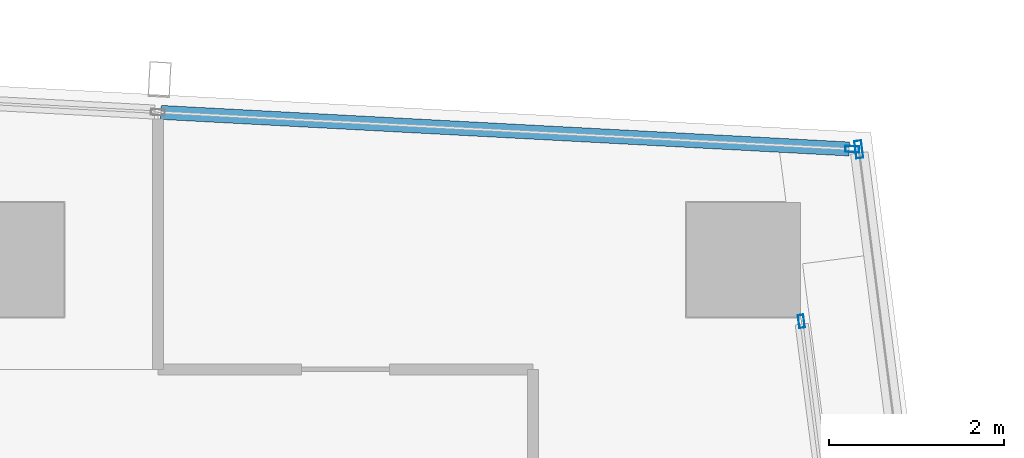
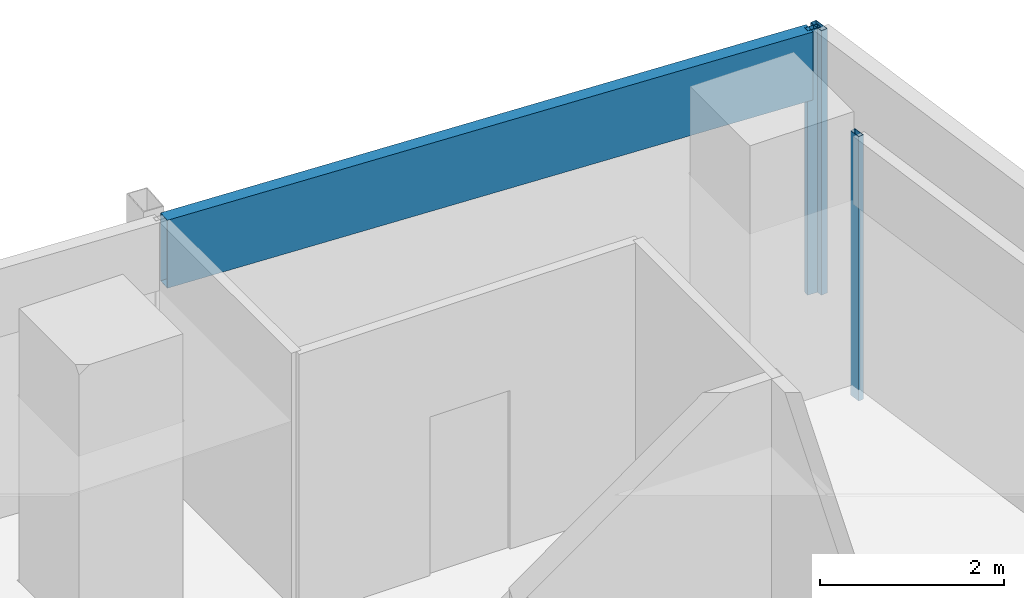
# One storey, part 20 of 30: 4 members, 3 elements without a shape of their own.
"""IFC4 building model written with IfcOpenShell, lengths in metres."""

from ifc_helpers import new_model, si_unit, direction, frame, origin, origin_2d, place, context, subcontext, project, spatial, hollow_rectangle, extrude, material, material_profile, profile_set, type_object, element, aggregate, save


model = new_model("IFC4")

# Units and contexts
model_context = context("Model", 3, precision=1e-05, world=origin(), true_north=direction((0.0, 1.0)))
body_context = subcontext(model_context, "Body", "Model", "MODEL_VIEW")
ifc_project = project(units=[si_unit("LENGTHUNIT", "METRE"), si_unit("AREAUNIT", "SQUARE_METRE"), si_unit("VOLUMEUNIT", "CUBIC_METRE"), si_unit("PLANEANGLEUNIT", "RADIAN"), si_unit("MASSUNIT", "GRAM", prefix="KILO")], contexts=[model_context])

# Site, building, storey
site_placement = place(None, origin())
site = spatial("IfcSite", under=ifc_project, at=site_placement, CompositionType="ELEMENT")
building_placement = place(site_placement, origin())
building = spatial("IfcBuilding", under=site, at=building_placement, Name="Rekha Terrace Tower", CompositionType="ELEMENT")
storey_placement = place(building_placement, frame((0.0, 0.0, 265.10009765625)))
storey = spatial("IfcBuildingStorey", under=building, at=storey_placement, Name="L67", CompositionType="ELEMENT", Elevation=265.10009765625)

# Curtain wall, member
ifc_material_1 = material(Name="Aluminium framing", Category="aluminium")
curtain_wall_type_1 = type_object("IfcCurtainWallType", Name="CW1 double skin inner glazing", PredefinedType="USERDEFINED", material=ifc_material_1)
curtain_wall_1_placement = place(storey_placement, origin())
curtain_wall_1 = element("IfcCurtainWall", 1, at=curtain_wall_1_placement, inside=storey, type_object=curtain_wall_type_1, Name="CW1 double skin inner glazing", ObjectType="DOUBLE SKIN INNER GLAZING", PredefinedType="USERDEFINED")
ifc_material_2 = material(Name="Aluminium mullion section", Category="aluminium")
ifc_material_profile_1 = material_profile(ifc_material_2, hollow_rectangle(XDim=0.06494140625, YDim=0.14990234375, WallThickness=0.00390625, at=origin_2d()), Name="AL RHS 65x150")
ifc_profile_set_1 = profile_set([ifc_material_profile_1], Name="Aluminium mullion section")
member_type_1 = type_object("IfcMemberType", Name="CW1 mullion RHS 65 x 150", PredefinedType="MULLION", material=ifc_profile_set_1)
member_1_placement = place(storey_placement, frame((59.458740234375, 49.6982421875, 0.0), z_axis=(0.0, 0.0, 1.0), x_axis=(-0.991790949472, -0.127869904766, 0.0)))
member_1 = element("IfcMember", 2, at=member_1_placement, type_object=member_type_1, Name="CW1 mullion 2", PredefinedType="MULLION", context=body_context, shape_type="SweptSolid", body=[
    extrude(hollow_rectangle(XDim=0.06494140625, YDim=0.14990234375, WallThickness=0.00390625, at=origin_2d()), origin(), (0.0, 0.0, 1.0), 3.5),
])
aggregate(curtain_wall_1, [member_1])

curtain_wall_type_2 = type_object("IfcCurtainWallType", Name="CW2 double skin outer glazing", PredefinedType="USERDEFINED", material=ifc_material_1)
curtain_wall_2_placement = place(storey_placement, origin())
curtain_wall_2 = element("IfcCurtainWall", 3, at=curtain_wall_2_placement, inside=storey, type_object=curtain_wall_type_2, Name="CW2 double skin outer glazing", ObjectType="DOUBLE SKIN OUTER GLAZING", PredefinedType="USERDEFINED")
ifc_material_profile_2 = material_profile(ifc_material_2, hollow_rectangle(XDim=0.080078125, YDim=0.199951171875, WallThickness=0.00390625, at=origin_2d()), Name="AL RHS 80x200")
ifc_profile_set_2 = profile_set([ifc_material_profile_2], Name="Aluminium mullion section")
member_type_2 = type_object("IfcMemberType", Name="CW2 mullion RHS 80 x 200", PredefinedType="MULLION", material=ifc_profile_set_2)
member_2_placement = place(storey_placement, frame((60.113525390625, 51.65771484375, 0.0), z_axis=(0.0, 0.0, 1.0), x_axis=(-0.991790949459, -0.12786990487, 0.0)))
member_2 = element("IfcMember", 4, at=member_2_placement, type_object=member_type_2, Name="CW2 mullion 2", PredefinedType="MULLION", context=body_context, shape_type="SweptSolid", body=[
    extrude(hollow_rectangle(XDim=0.080078125, YDim=0.199951171875, WallThickness=0.00390625, at=origin_2d()), origin(), (0.0, 0.0, 1.0), 3.5),
])
aggregate(curtain_wall_2, [member_2])

# Curtain wall, members
curtain_wall_type_3 = type_object("IfcCurtainWallType", Name="CW3 north unitised glazing", PredefinedType="USERDEFINED", material=ifc_material_1)
curtain_wall_3_placement = place(storey_placement, origin())
curtain_wall_3 = element("IfcCurtainWall", 5, at=curtain_wall_3_placement, inside=storey, type_object=curtain_wall_type_3, Name="CW3 unitised curtain wall", ObjectType="UNITISED CURTAIN WALL", PredefinedType="USERDEFINED")
ifc_material_profile_3 = material_profile(ifc_material_2, hollow_rectangle(XDim=0.070068359375, YDim=0.159912109375, WallThickness=0.00390625, at=origin_2d()), Name="AL RHS 70x160")
ifc_profile_set_3 = profile_set([ifc_material_profile_3], Name="Aluminium mullion section")
member_type_3 = type_object("IfcMemberType", Name="CW3 mullion RHS 70 x 160", PredefinedType="MULLION", material=ifc_profile_set_3)
member_3_placement = place(storey_placement, frame((60.0380859375, 51.660888671875, 0.0), z_axis=(0.0, 0.0, 1.0), x_axis=(-0.053083275524, -0.998590089005, 0.0)))
member_3 = element("IfcMember", 6, at=member_3_placement, type_object=member_type_3, Name="CW3 mullion 1", PredefinedType="MULLION", context=body_context, shape_type="SweptSolid", body=[
    extrude(hollow_rectangle(XDim=0.070068359375, YDim=0.159912109375, WallThickness=0.00390625, at=origin_2d()), origin(), (0.0, 0.0, 1.0), 3.5),
])
ifc_material_3 = material(Name="Insulated aluminium spandrel box", Category="aluminium")
ifc_material_profile_4 = material_profile(ifc_material_3, hollow_rectangle(XDim=0.159912109375, YDim=0.89990234375, WallThickness=0.0029296875, at=origin_2d()), Name="AL SPANDREL BOX 160x900")
ifc_profile_set_4 = profile_set([ifc_material_profile_4], Name="Insulated aluminium spandrel box")
member_type_4 = type_object("IfcMemberType", Name="CW3 spandrel transom 160 x 900", PredefinedType="USERDEFINED", material=ifc_profile_set_4)
member_4_placement = place(storey_placement, frame((60.003173828125, 51.662841796875, 3.0498046875), z_axis=(-0.99859048353, 0.053075853302, 0.0), x_axis=(-0.053075853302, -0.99859048353, 0.0)))
member_4 = element("IfcMember", 7, at=member_4_placement, type_object=member_type_4, Name="CW3 spandrel transom 1", ObjectType="TRANSOM", PredefinedType="USERDEFINED", context=body_context, shape_type="SweptSolid", body=[
    extrude(hollow_rectangle(XDim=0.159912109375, YDim=0.89990234375, WallThickness=0.0029296875, at=origin_2d()), origin(), (0.0, 0.0, 1.0), 7.8564453125),
])
aggregate(curtain_wall_3, [member_3, member_4])

save(model, "model.ifc")
